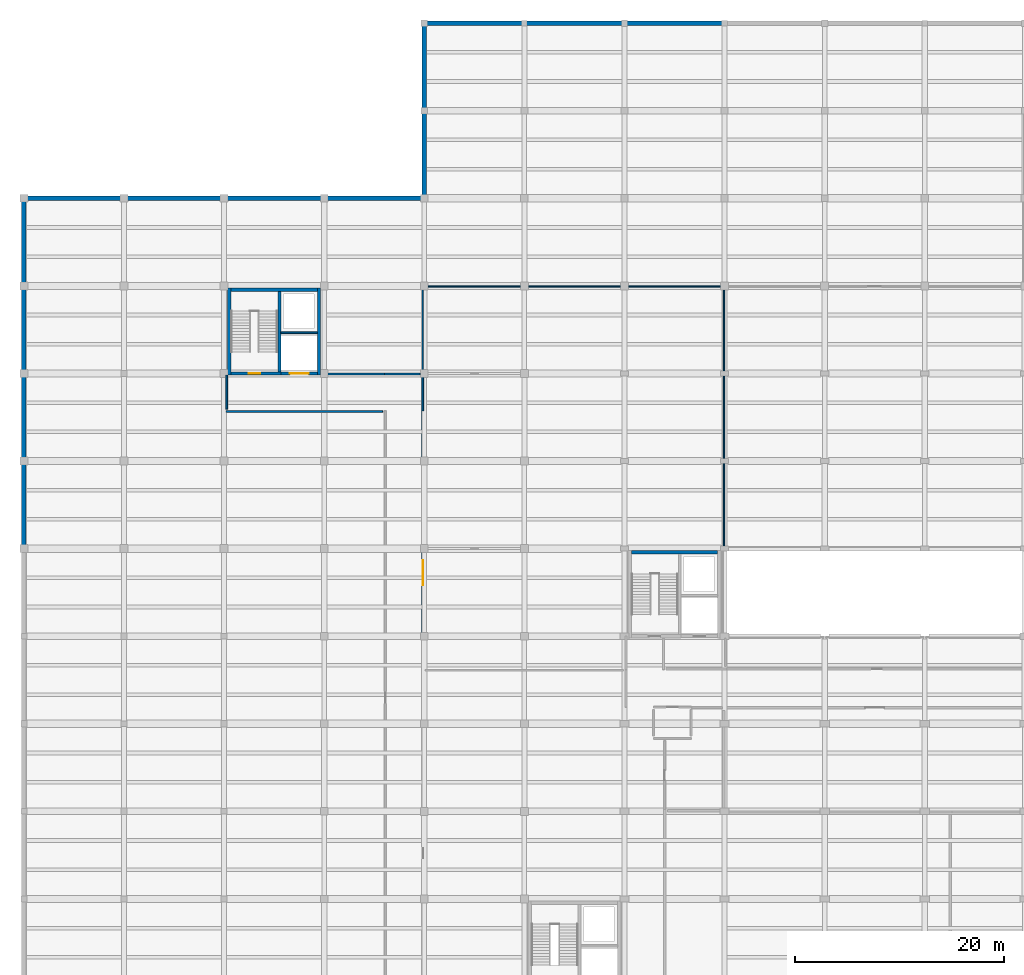
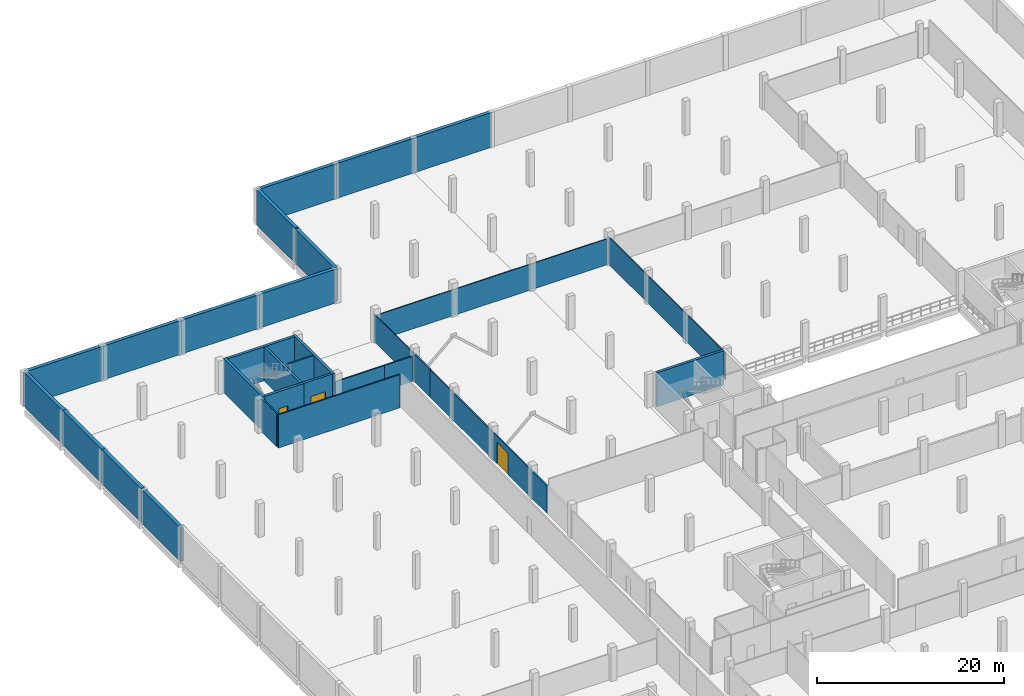
# One storey, part 21 of 30: 30 walls, 3 doors, 3 openings.
"""IFC4 building model written with IfcOpenShell, lengths in metres."""

from ifc_helpers import new_model, si_unit, direction, frame, frame_2d, origin, place, context, subcontext, project, spatial, rectangle, extrude, material, layer, layer_set, type_object, element, fill, save


model = new_model("IFC4")

# Units and contexts
model_context = context("Model", 3, precision=1e-05, world=origin(), true_north=direction((0.0, 1.0)))
body_context = subcontext(model_context, "Body", "Model", "MODEL_VIEW")
ifc_project = project(units=[si_unit("LENGTHUNIT", "METRE"), si_unit("AREAUNIT", "SQUARE_METRE"), si_unit("VOLUMEUNIT", "CUBIC_METRE"), si_unit("PLANEANGLEUNIT", "RADIAN"), si_unit("MASSUNIT", "GRAM", prefix="KILO")], contexts=[model_context])

# Site, building, storey
site_placement = place(None, origin())
site = spatial("IfcSite", under=ifc_project, at=site_placement, CompositionType="ELEMENT")
building_placement = place(site_placement, origin())
building = spatial("IfcBuilding", under=site, at=building_placement, Name="Lornevale Opera House", CompositionType="ELEMENT")
storey_placement = place(building_placement, frame((0.0, 0.0, -4.800048828125)))
storey = spatial("IfcBuildingStorey", under=building, at=storey_placement, Name="B1", CompositionType="ELEMENT", Elevation=-4.800048828125)

# Walls
ifc_material_1 = material(Name="Concrete 40 MPa (CSA A23.1 C-1)", Category="concrete")
ifc_layer_1 = layer(ifc_material_1, 0.419921875)
ifc_layer_set_1 = layer_set([ifc_layer_1], Name="Concrete 40 MPa (CSA A23.1 C-1)")
wall_type_1 = type_object("IfcWallType", Name="Basement Retaining Wall 420", PredefinedType="USERDEFINED", material=ifc_layer_set_1)
wall_1_placement = place(storey_placement, frame((0.0, 67.199951171875, 0.0), z_axis=(0.0, 0.0, 1.0), x_axis=(0.0, 1.0, 0.0)))
element("IfcWall", 1, at=wall_1_placement, inside=storey, type_object=wall_type_1, Name="Basement Escarpment Plinth Wall WL-EXT-0074", ObjectType="RETAINING WALL", PredefinedType="USERDEFINED", context=body_context, shape_type="SweptSolid", body=[
    extrude(rectangle(XDim=8.400146484375, YDim=0.419921875, at=frame_2d((4.2001953125, 0.0))), origin(), (0.0, 0.0, 1.0), 4.360107421875),
])
for number, where, z_axis, x_axis, name in (
    (2, (0.0, 75.60009765625, 0.0), (0.0, 0.0, 1.0), (0.0, 1.0, 0.0), "Basement Escarpment Plinth Wall WL-EXT-0075"),
    (3, (0.0, 84.0, 0.0), (0.0, 0.0, 1.0), (0.0, 1.0, 0.0), "Basement Escarpment Plinth Wall WL-EXT-0076"),
):
    element("IfcWall", number, at=place(storey_placement, frame(where, z_axis=z_axis, x_axis=x_axis)), inside=storey, type_object=wall_type_1, Name=name, ObjectType="RETAINING WALL", PredefinedType="USERDEFINED", context=body_context, shape_type="SweptSolid", body=[
        extrude(rectangle(XDim=8.39990234375, YDim=0.419921875, at=frame_2d((4.199951171875, 0.0))), origin(), (0.0, 0.0, 1.0), 4.420166015625),
    ])
wall_2_placement = place(storey_placement, frame((0.0, 100.800048828125, 0.0), z_axis=(0.0, 0.0, 1.0), x_axis=(1.0, 0.0, 0.0)))
element("IfcWall", 4, at=wall_2_placement, inside=storey, type_object=wall_type_1, Name="Basement Escarpment Plinth Wall WL-EXT-0077", ObjectType="RETAINING WALL", PredefinedType="USERDEFINED", context=body_context, shape_type="SweptSolid", body=[
    extrude(rectangle(XDim=9.60009765625, YDim=0.419921875, at=frame_2d((4.800048828125, 0.0))), origin(), (0.0, 0.0, 1.0), 4.420166015625),
])
wall_3_placement = place(storey_placement, frame((0.0, 92.39990234375, 0.0), z_axis=(0.0, 0.0, 1.0), x_axis=(0.0, 1.0, 0.0)))
element("IfcWall", 5, at=wall_3_placement, inside=storey, type_object=wall_type_1, Name="Basement Escarpment Plinth Wall WL-EXT-0078", ObjectType="RETAINING WALL", PredefinedType="USERDEFINED", context=body_context, shape_type="SweptSolid", body=[
    extrude(rectangle(XDim=8.400146484375, YDim=0.419921875, at=frame_2d((4.2001953125, 0.0))), origin(), (0.0, 0.0, 1.0), 4.420166015625),
])
wall_4_placement = place(storey_placement, frame((9.60009765625, 100.800048828125, 0.0), z_axis=(0.0, 0.0, 1.0), x_axis=(1.0, 0.0, 0.0)))
element("IfcWall", 6, at=wall_4_placement, inside=storey, type_object=wall_type_1, Name="Basement Escarpment Plinth Wall WL-EXT-0080", ObjectType="RETAINING WALL", PredefinedType="USERDEFINED", context=body_context, shape_type="SweptSolid", body=[
    extrude(rectangle(XDim=9.599853515625, YDim=0.419921875, at=frame_2d((4.7998046875, 0.0))), origin(), (0.0, 0.0, 1.0), 4.420166015625),
])
wall_5_placement = place(storey_placement, frame((19.199951171875, 100.800048828125, 0.0), z_axis=(0.0, 0.0, 1.0), x_axis=(1.0, 0.0, 0.0)))
element("IfcWall", 7, at=wall_5_placement, inside=storey, type_object=wall_type_1, Name="Basement Escarpment Plinth Wall WL-EXT-0082", ObjectType="RETAINING WALL", PredefinedType="USERDEFINED", context=body_context, shape_type="SweptSolid", body=[
    extrude(rectangle(XDim=9.60009765625, YDim=0.419921875, at=frame_2d((4.800048828125, 0.0))), origin(), (0.0, 0.0, 1.0), 4.420166015625),
])
wall_6_placement = place(storey_placement, frame((28.800048828125, 100.800048828125, 0.0), z_axis=(0.0, 0.0, 1.0), x_axis=(1.0, 0.0, 0.0)))
element("IfcWall", 8, at=wall_6_placement, inside=storey, type_object=wall_type_1, Name="Basement Escarpment Plinth Wall WL-EXT-0084", ObjectType="RETAINING WALL", PredefinedType="USERDEFINED", context=body_context, shape_type="SweptSolid", body=[
    extrude(rectangle(XDim=9.599853515625, YDim=0.419921875, at=frame_2d((4.7998046875, 0.0))), origin(), (0.0, 0.0, 1.0), 4.420166015625),
])
wall_7_placement = place(storey_placement, frame((38.39990234375, 100.800048828125, 0.0), z_axis=(0.0, 0.0, 1.0), x_axis=(0.0, 1.0, 0.0)))
element("IfcWall", 9, at=wall_7_placement, inside=storey, type_object=wall_type_1, Name="Basement Escarpment Plinth Wall WL-EXT-0086", ObjectType="RETAINING WALL", PredefinedType="USERDEFINED", context=body_context, shape_type="SweptSolid", body=[
    extrude(rectangle(XDim=8.39990234375, YDim=0.419921875, at=frame_2d((4.199951171875, 0.0))), origin(), (0.0, 0.0, 1.0), 4.43994140625),
])
wall_8_placement = place(storey_placement, frame((38.39990234375, 117.60009765625, 0.0), z_axis=(0.0, 0.0, 1.0), x_axis=(1.0, 0.0, 0.0)))
element("IfcWall", 10, at=wall_8_placement, inside=storey, type_object=wall_type_1, Name="Basement Escarpment Plinth Wall WL-EXT-0087", ObjectType="RETAINING WALL", PredefinedType="USERDEFINED", context=body_context, shape_type="SweptSolid", body=[
    extrude(rectangle(XDim=9.60009765625, YDim=0.419921875, at=frame_2d((4.800048828125, 0.0))), origin(), (0.0, 0.0, 1.0), 4.550048828125),
])
wall_9_placement = place(storey_placement, frame((38.39990234375, 109.199951171875, 0.0), z_axis=(0.0, 0.0, 1.0), x_axis=(0.0, 1.0, 0.0)))
element("IfcWall", 11, at=wall_9_placement, inside=storey, type_object=wall_type_1, Name="Basement Escarpment Plinth Wall WL-EXT-0088", ObjectType="RETAINING WALL", PredefinedType="USERDEFINED", context=body_context, shape_type="SweptSolid", body=[
    extrude(rectangle(XDim=8.400146484375, YDim=0.419921875, at=frame_2d((4.2001953125, 0.0))), origin(), (0.0, 0.0, 1.0), 4.550048828125),
])
wall_10_placement = place(storey_placement, frame((48.0, 117.60009765625, 0.0), z_axis=(0.0, 0.0, 1.0), x_axis=(1.0, 0.0, 0.0)))
element("IfcWall", 12, at=wall_10_placement, inside=storey, type_object=wall_type_1, Name="Basement Escarpment Plinth Wall WL-EXT-0090", ObjectType="RETAINING WALL", PredefinedType="USERDEFINED", context=body_context, shape_type="SweptSolid", body=[
    extrude(rectangle(XDim=9.60009765625, YDim=0.419921875, at=frame_2d((4.800048828125, 0.0))), origin(), (0.0, 0.0, 1.0), 4.550048828125),
])
wall_11_placement = place(storey_placement, frame((57.60009765625, 117.60009765625, 0.0), z_axis=(0.0, 0.0, 1.0), x_axis=(1.0, 0.0, 0.0)))
element("IfcWall", 13, at=wall_11_placement, inside=storey, type_object=wall_type_1, Name="Basement Escarpment Plinth Wall WL-EXT-0092", ObjectType="RETAINING WALL", PredefinedType="USERDEFINED", context=body_context, shape_type="SweptSolid", body=[
    extrude(rectangle(XDim=9.599853515625, YDim=0.419921875, at=frame_2d((4.7998046875, 0.0))), origin(), (0.0, 0.0, 1.0), 4.550048828125),
])

# Wall, opening, door
ifc_layer_2 = layer(ifc_material_1, 0.320068359375)
ifc_layer_set_2 = layer_set([ifc_layer_2], Name="Concrete 40 MPa (CSA A23.1 C-1)")
wall_type_2 = type_object("IfcWallType", Name="Core Shear Wall 320", PredefinedType="SHEAR", material=ifc_layer_set_2)
wall_12_placement = place(storey_placement, frame((19.860107421875, 84.0, 0.0), z_axis=(0.0, 0.0, 1.0), x_axis=(1.0, 0.0, 0.0)))
wall_12 = element("IfcWall", 14, at=wall_12_placement, inside=storey, type_object=wall_type_2, Name="North-West Workshop Core Core Shear Wall 320 WL-COR-0120", PredefinedType="SHEAR", context=body_context, shape_type="SweptSolid", body=[
    extrude(rectangle(XDim=4.77978515625, YDim=0.320068359375, at=frame_2d((2.389892578125, 0.0))), origin(), (0.0, 0.0, 1.0), 4.420166015625),
])
opening_1_placement = place(wall_12_placement, frame((1.68994140625, 0.0, 0.0)))
opening_1 = element("IfcOpeningElement", 15, at=opening_1_placement, cuts=wall_12, Name="Opening DR-T11", PredefinedType="OPENING", context=body_context, shape_type="SweptSolid", body=[
    extrude(rectangle(XDim=1.10009765625, YDim=2.199951171875, at=frame_2d((0.550048828125, 1.10009765625))), frame((0.0, 0.169921875, 0.0), z_axis=(0.0, -1.0, 0.0), x_axis=(1.0, 0.0, 0.0)), (0.0, 0.0, 1.0), 0.340087890625),
])
ifc_material_2 = material(Name="Painted Hollow Metal Door Steel", Category="steel")
ifc_layer_3 = layer(ifc_material_2, 2.199951171875)
ifc_layer_set_3 = layer_set([ifc_layer_3], Name="Painted Hollow Metal Door Steel")
door_type_1 = type_object("IfcDoorType", Name="Protected Exit Stair Door R 1100x2200", OperationType="NOTDEFINED", PredefinedType="DOOR", material=ifc_layer_set_3)
door_1_placement = place(opening_1_placement, origin())
door_1 = element("IfcDoor", 16, at=door_1_placement, inside=storey, type_object=door_type_1, Name="C4 Stair Door B1", OperationType="SINGLE_SWING_RIGHT", OverallHeight=2.199951171875, OverallWidth=1.10009765625, PredefinedType="DOOR", context=body_context, shape_type="SweptSolid", body=[
    extrude(rectangle(XDim=1.10009765625, YDim=2.199951171875, at=frame_2d((0.550048828125, 1.10009765625))), frame((0.0, 0.02490234375, 0.0), z_axis=(0.0, -1.0, 0.0), x_axis=(1.0, 0.0, 0.0)), (0.0, 0.0, 1.0), 0.050048828125),
])
fill(opening_1, door_1)

# Walls
wall_13_placement = place(storey_placement, frame((28.139892578125, 92.0400390625, 0.0), z_axis=(0.0, 0.0, 1.0), x_axis=(-1.0, 0.0, 0.0)))
element("IfcWall", 17, at=wall_13_placement, inside=storey, type_object=wall_type_2, Name="North-West Workshop Core Core Shear Wall 320 WL-COR-0122", PredefinedType="SHEAR", context=body_context, shape_type="SweptSolid", body=[
    extrude(rectangle(XDim=8.27978515625, YDim=0.320068359375, at=frame_2d((4.139892578125, 0.0))), origin(), (0.0, 0.0, 1.0), 4.420166015625),
])
for number, where, z_axis, x_axis, name in (
    (18, (19.699951171875, 92.199951171875, 0.0), (0.0, 0.0, 1.0), (0.0, -1.0, 0.0), "North-West Workshop Core Core Shear Wall 320 WL-COR-0123"),
    (19, (28.300048828125, 83.840087890625, 0.0), (0.0, 0.0, 1.0), (0.0, 1.0, 0.0), "North-West Workshop Core Core Shear Wall 320 WL-COR-0124"),
):
    element("IfcWall", number, at=place(storey_placement, frame(where, z_axis=z_axis, x_axis=x_axis)), inside=storey, type_object=wall_type_2, Name=name, PredefinedType="SHEAR", context=body_context, shape_type="SweptSolid", body=[
        extrude(rectangle(XDim=8.35986328125, YDim=0.320068359375, at=frame_2d((4.179931640625, 0.0))), origin(), (0.0, 0.0, 1.0), 4.420166015625),
    ])
wall_14_placement = place(storey_placement, frame((66.5400390625, 66.840087890625, 0.0), z_axis=(0.0, 0.0, 1.0), x_axis=(-1.0, 0.0, 0.0)))
element("IfcWall", 20, at=wall_14_placement, inside=storey, type_object=wall_type_2, Name="Auditorium West Tier Core Core Shear Wall 320 WL-COR-0157", PredefinedType="SHEAR", context=body_context, shape_type="SweptSolid", body=[
    extrude(rectangle(XDim=8.280029296875, YDim=0.320068359375, at=frame_2d((4.14013671875, 0.0))), origin(), (0.0, 0.0, 1.0), 4.43994140625),
])
ifc_material_3 = material(Name="Acoustic Mineral-Core Gypsum Partition", Category="gypsum")
ifc_layer_4 = layer(ifc_material_3, 0.1650390625)
ifc_layer_set_4 = layer_set([ifc_layer_4], Name="Acoustic Mineral-Core Gypsum Partition")
wall_type_3 = type_object("IfcWallType", Name="Corridor Rated Partition 165", PredefinedType="PARTITIONING", material=ifc_layer_set_4)
wall_15_placement = place(storey_placement, frame((38.260009765625, 80.39990234375, 0.0), z_axis=(0.0, 0.0, 1.0), x_axis=(0.0, 1.0, 0.0)))
element("IfcWall", 21, at=wall_15_placement, inside=storey, type_object=wall_type_3, Name="B1 Partition WL-INT-0577", PredefinedType="PARTITIONING", context=body_context, shape_type="SweptSolid", body=[
    extrude(rectangle(XDim=3.60009765625, YDim=0.1650390625, at=frame_2d((1.800048828125, 0.0))), origin(), (0.0, 0.0, 1.0), 3.610107421875),
])

# Wall, opening, door
wall_16_placement = place(storey_placement, frame((38.260009765625, 55.39990234375, 0.0), z_axis=(0.0, 0.0, 1.0), x_axis=(0.0, 1.0, 0.0)))
wall_16 = element("IfcWall", 22, at=wall_16_placement, inside=storey, type_object=wall_type_3, Name="B1 Partition WL-INT-0578", PredefinedType="PARTITIONING", context=body_context, shape_type="SweptSolid", body=[
    extrude(rectangle(XDim=25.0, YDim=0.1650390625, at=frame_2d((12.5, 0.0))), origin(), (0.0, 0.0, 1.0), 3.56005859375),
])
opening_2_placement = place(wall_16_placement, frame((8.300048828125, 0.0, 0.0)))
opening_2 = element("IfcOpeningElement", 23, at=opening_2_placement, cuts=wall_16, Name="Opening DR-T16", PredefinedType="OPENING", context=body_context, shape_type="SweptSolid", body=[
    extrude(rectangle(XDim=2.39990234375, YDim=2.800048828125, at=frame_2d((1.199951171875, 1.39990234375))), frame((0.0, 0.092529296875, 0.0), z_axis=(0.0, -1.0, 0.0), x_axis=(1.0, 0.0, 0.0)), (0.0, 0.0, 1.0), 0.18505859375),
])
ifc_layer_5 = layer(ifc_material_2, 2.800048828125)
ifc_layer_set_5 = layer_set([ifc_layer_5], Name="Painted Hollow Metal Door Steel")
door_type_2 = type_object("IfcDoorType", Name="Stage Scenery Double Door 2400x2800", OperationType="NOTDEFINED", PredefinedType="DOOR", material=ifc_layer_set_5)
door_2_placement = place(opening_2_placement, origin())
door_2 = element("IfcDoor", 24, at=door_2_placement, inside=storey, type_object=door_type_2, Name="Understage Trap Room & Automation Shop Door", OperationType="DOUBLE_SWING_LEFT", OverallHeight=2.800048828125, OverallWidth=2.39990234375, PredefinedType="DOOR", context=body_context, shape_type="SweptSolid", body=[
    extrude(rectangle(XDim=2.39990234375, YDim=2.800048828125, at=frame_2d((1.199951171875, 1.39990234375))), frame((0.0, 0.02490234375, 0.0), z_axis=(0.0, -1.0, 0.0), x_axis=(1.0, 0.0, 0.0)), (0.0, 0.0, 1.0), 0.050048828125),
])
fill(opening_2, door_2)

# Walls
wall_17_placement = place(storey_placement, frame((19.39990234375, 80.340087890625, 0.0), z_axis=(0.0, 0.0, 1.0), x_axis=(1.0, 0.0, 0.0)))
element("IfcWall", 25, at=wall_17_placement, inside=storey, type_object=wall_type_3, Name="B1 Partition WL-INT-0596", PredefinedType="PARTITIONING", context=body_context, shape_type="SweptSolid", body=[
    extrude(rectangle(XDim=15.010009765625, YDim=0.1650390625, at=frame_2d((7.5048828125, 0.0))), origin(), (0.0, 0.0, 1.0), 4.330078125),
])
wall_18_placement = place(storey_placement, frame((19.4599609375, 80.590087890625, 0.0), z_axis=(0.0, 0.0, 1.0), x_axis=(0.0, 1.0, 0.0)))
element("IfcWall", 26, at=wall_18_placement, inside=storey, type_object=wall_type_3, Name="B1 Partition WL-INT-0597", PredefinedType="PARTITIONING", context=body_context, shape_type="SweptSolid", body=[
    extrude(rectangle(XDim=3.25, YDim=0.1650390625, at=frame_2d((1.625, 0.0))), origin(), (0.0, 0.0, 1.0), 4.330078125),
])
wall_19_placement = place(storey_placement, frame((28.550048828125, 83.93994140625, 0.0), z_axis=(0.0, 0.0, 1.0), x_axis=(1.0, 0.0, 0.0)))
element("IfcWall", 27, at=wall_19_placement, inside=storey, type_object=wall_type_3, Name="B1 Partition WL-INT-0598", PredefinedType="PARTITIONING", context=body_context, shape_type="SweptSolid", body=[
    extrude(rectangle(XDim=6.050048828125, YDim=0.1650390625, at=frame_2d((3.02490234375, 0.0))), origin(), (0.0, 0.0, 1.0), 3.260009765625),
])
wall_20_placement = place(storey_placement, frame((34.60009765625, 83.93994140625, 0.0), z_axis=(0.0, 0.0, 1.0), x_axis=(1.0, 0.0, 0.0)))
element("IfcWall", 28, at=wall_20_placement, inside=storey, type_object=wall_type_3, Name="B1 Partition WL-INT-0599", PredefinedType="PARTITIONING", context=body_context, shape_type="SweptSolid", body=[
    extrude(rectangle(XDim=3.409912109375, YDim=0.1650390625, at=frame_2d((1.705078125, 0.0))), origin(), (0.0, 0.0, 1.0), 3.260009765625),
])
ifc_layer_6 = layer(ifc_material_3, 0.125)
ifc_layer_set_6 = layer_set([ifc_layer_6], Name="Acoustic Mineral-Core Gypsum Partition")
wall_type_4 = type_object("IfcWallType", Name="Dressing Suite Partition 125", PredefinedType="PARTITIONING", material=ifc_layer_set_6)
wall_21_placement = place(storey_placement, frame((67.139892578125, 67.419921875, 0.0), z_axis=(0.0, 0.0, 1.0), x_axis=(0.0, 1.0, 0.0)))
element("IfcWall", 29, at=wall_21_placement, inside=storey, type_object=wall_type_4, Name="B1 Partition WL-INT-0646", PredefinedType="PARTITIONING", context=body_context, shape_type="SweptSolid", body=[
    extrude(rectangle(XDim=24.97998046875, YDim=0.125, at=frame_2d((12.489990234375, 0.0))), origin(), (0.0, 0.0, 1.0), 3.56005859375),
])
wall_22_placement = place(storey_placement, frame((38.260009765625, 84.06005859375, 0.0), z_axis=(0.0, 0.0, 1.0), x_axis=(0.0, 1.0, 0.0)))
element("IfcWall", 30, at=wall_22_placement, inside=storey, type_object=wall_type_4, Name="B1 Partition WL-INT-0649", PredefinedType="PARTITIONING", context=body_context, shape_type="SweptSolid", body=[
    extrude(rectangle(XDim=8.33984375, YDim=0.125, at=frame_2d((4.169921875, 0.0))), origin(), (0.0, 0.0, 1.0), 3.56005859375),
])
wall_23_placement = place(storey_placement, frame((38.510009765625, 92.340087890625, 0.0), z_axis=(0.0, 0.0, 1.0), x_axis=(1.0, 0.0, 0.0)))
element("IfcWall", 31, at=wall_23_placement, inside=storey, type_object=wall_type_4, Name="B1 Partition WL-INT-0650", PredefinedType="PARTITIONING", context=body_context, shape_type="SweptSolid", body=[
    extrude(rectangle(XDim=28.3798828125, YDim=0.125, at=frame_2d((14.18994140625, 0.0))), origin(), (0.0, 0.0, 1.0), 3.360107421875),
])

# Wall, opening, door
ifc_layer_7 = layer(ifc_material_1, 0.280029296875)
ifc_layer_set_7 = layer_set([ifc_layer_7], Name="Concrete 40 MPa (CSA A23.1 C-1)")
wall_type_5 = type_object("IfcWallType", Name="Elevator Shaft Wall 280", PredefinedType="SHEAR", material=ifc_layer_set_7)
wall_24_placement = place(storey_placement, frame((24.639892578125, 84.0, 0.0), z_axis=(0.0, 0.0, 1.0), x_axis=(1.0, 0.0, 0.0)))
wall_24 = element("IfcWall", 32, at=wall_24_placement, inside=storey, type_object=wall_type_5, Name="North-West Workshop Core Elevator Shaft Wall 280 WL-COR-0121", PredefinedType="SHEAR", context=body_context, shape_type="SweptSolid", body=[
    extrude(rectangle(XDim=3.5, YDim=0.280029296875, at=frame_2d((1.75, 0.0))), origin(), (0.0, 0.0, 1.0), 4.420166015625),
])
opening_3_placement = place(wall_24_placement, frame((0.860107421875, 0.0, 0.0)))
opening_3 = element("IfcOpeningElement", 33, at=opening_3_placement, cuts=wall_24, Name="Opening DR-T27", PredefinedType="OPENING", context=body_context, shape_type="SweptSolid", body=[
    extrude(rectangle(XDim=1.800048828125, YDim=2.39990234375, at=frame_2d((0.89990234375, 1.199951171875))), frame((0.0, 0.14990234375, 0.0), z_axis=(0.0, -1.0, 0.0), x_axis=(1.0, 0.0, 0.0)), (0.0, 0.0, 1.0), 0.300048828125),
])
ifc_layer_8 = layer(ifc_material_2, 2.39990234375)
ifc_layer_set_8 = layer_set([ifc_layer_8], Name="Painted Hollow Metal Door Steel")
door_type_3 = type_object("IfcDoorType", Name="Freight Lift Landing Door 1800x2400", OperationType="NOTDEFINED", PredefinedType="DOOR", material=ifc_layer_set_8)
door_3_placement = place(opening_3_placement, origin())
door_3 = element("IfcDoor", 34, at=door_3_placement, inside=storey, type_object=door_type_3, Name="L-B1 Landing Door B1", OperationType="SLIDING_TO_LEFT", OverallHeight=2.39990234375, OverallWidth=1.800048828125, PredefinedType="DOOR", context=body_context, shape_type="SweptSolid", body=[
    extrude(rectangle(XDim=1.800048828125, YDim=2.39990234375, at=frame_2d((0.89990234375, 1.199951171875))), frame((0.0, 0.02490234375, 0.0), z_axis=(0.0, -1.0, 0.0), x_axis=(1.0, 0.0, 0.0)), (0.0, 0.0, 1.0), 0.050048828125),
])
fill(opening_3, door_3)

# Walls
wall_25_placement = place(storey_placement, frame((24.5, 84.159912109375, 0.0), z_axis=(0.0, 0.0, 1.0), x_axis=(0.0, 1.0, 0.0)))
element("IfcWall", 35, at=wall_25_placement, inside=storey, type_object=wall_type_5, Name="North-West Workshop Core Elevator Shaft Wall 280 WL-COR-0125", PredefinedType="SHEAR", context=body_context, shape_type="SweptSolid", body=[
    extrude(rectangle(XDim=7.719970703125, YDim=0.280029296875, at=frame_2d((3.85986328125, 0.0))), origin(), (0.0, 0.0, 1.0), 4.420166015625),
])
ifc_material_4 = material(Name="Moisture-Resistant Ceramic & Gypsum Partition", Category="gypsum")
ifc_layer_9 = layer(ifc_material_4, 0.179931640625)
ifc_layer_set_9 = layer_set([ifc_layer_9], Name="Moisture-Resistant Ceramic & Gypsum Partition")
wall_type_6 = type_object("IfcWallType", Name="Riser Shaft Wall 180", PredefinedType="SOLIDWALL", material=ifc_layer_set_9)
wall_26_placement = place(storey_placement, frame((24.639892578125, 87.89990234375, 0.0), z_axis=(0.0, 0.0, 1.0), x_axis=(1.0, 0.0, 0.0)))
element("IfcWall", 36, at=wall_26_placement, inside=storey, type_object=wall_type_6, Name="North-West Workshop Core Riser Shaft Wall 180 WL-COR-0126", PredefinedType="SOLIDWALL", context=body_context, shape_type="SweptSolid", body=[
    extrude(rectangle(XDim=3.5, YDim=0.179931640625, at=frame_2d((1.75, 0.0))), origin(), (0.0, 0.0, 1.0), 4.420166015625),
])

save(model, "model.ifc")
